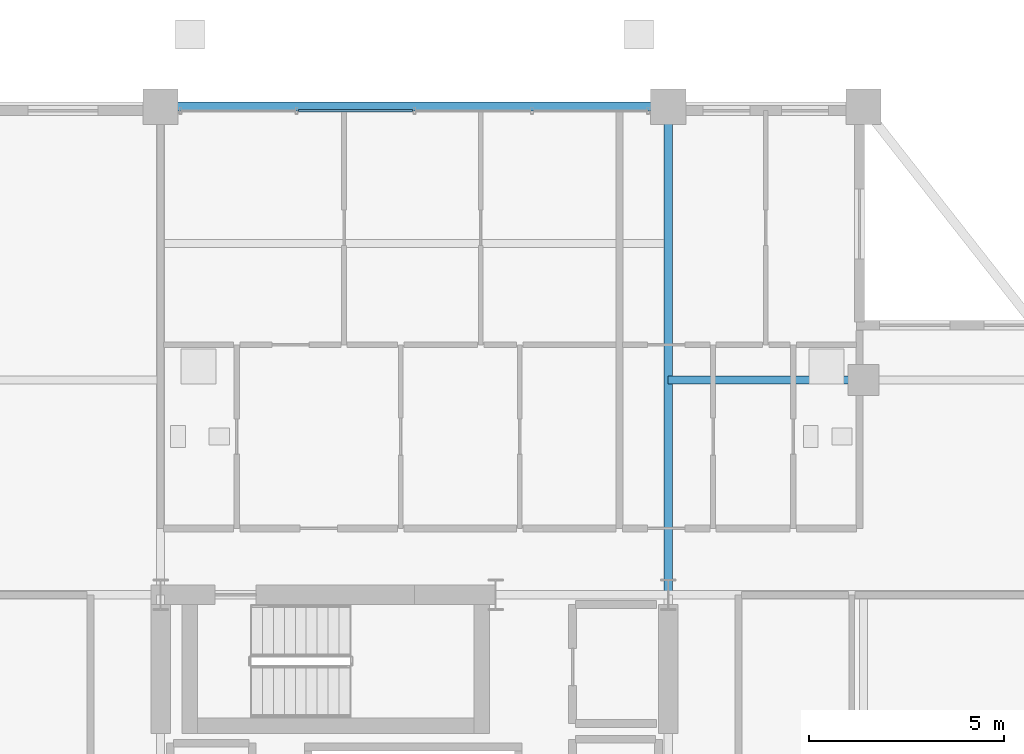
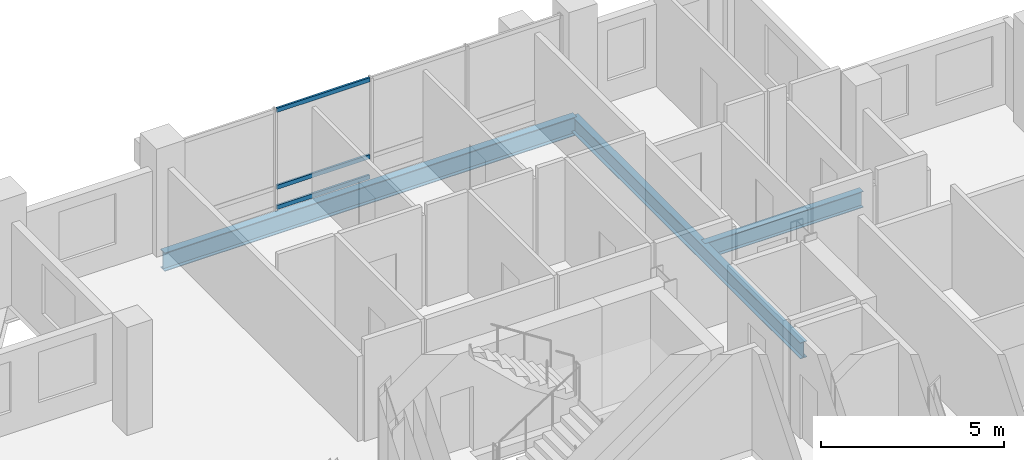
# One storey, part 13 of 22: 3 beams, 3 members, 1 element without a shape of its own.
"""IFC4 building model written with IfcOpenShell, lengths in metres."""

from ifc_helpers import new_model, si_unit, direction, frame, origin, origin_2d, place, context, subcontext, project, spatial, hollow_rectangle, i_section, extrude, material, layer, layer_set, material_profile, profile_set, type_object, element, aggregate, save


model = new_model("IFC4")

# Units and contexts
model_context = context("Model", 3, precision=1e-05, world=origin(), true_north=direction((0.0, 1.0)))
body_context = subcontext(model_context, "Body", "Model", "MODEL_VIEW")
ifc_project = project(units=[si_unit("LENGTHUNIT", "METRE"), si_unit("AREAUNIT", "SQUARE_METRE"), si_unit("VOLUMEUNIT", "CUBIC_METRE"), si_unit("PLANEANGLEUNIT", "RADIAN"), si_unit("MASSUNIT", "GRAM", prefix="KILO")], contexts=[model_context])

# Site, building, storey
site_placement = place(None, origin())
site = spatial("IfcSite", under=ifc_project, at=site_placement, CompositionType="ELEMENT")
building_placement = place(site_placement, origin())
building = spatial("IfcBuilding", under=site, at=building_placement, Name="Barlavira Tower and Art Museum", CompositionType="ELEMENT")
storey_placement = place(building_placement, frame((0.0, 0.0, 243.89990234375)))
storey = spatial("IfcBuildingStorey", under=building, at=storey_placement, Name="L63", CompositionType="ELEMENT", Elevation=243.89990234375)

# Curtain wall, members
ifc_material_1 = material(Name="Low-iron coastal laminated glass", Category="glass")
ifc_layer = layer(ifc_material_1, 0.2099609375, Name="Low-iron coastal laminated glass")
ifc_layer_set = layer_set([ifc_layer], Name="Low-iron coastal laminated glass")
curtain_wall_type = type_object("IfcCurtainWallType", Name="Pale-Metal Unitised Curtain Wall Zone 4", PredefinedType="NOTDEFINED", material=ifc_layer_set)
curtain_wall_placement = place(storey_placement, origin())
curtain_wall = element("IfcCurtainWall", 1, at=curtain_wall_placement, inside=storey, type_object=curtain_wall_type, Name="L63 Curtain Wall CW4-L63-N-B2", PredefinedType="NOTDEFINED")
ifc_material_2 = material(Name="Pale anodised aluminium", Category="aluminium")
ifc_material_profile_1 = material_profile(ifc_material_2, hollow_rectangle(XDim=0.06494140625, YDim=0.139892578125, WallThickness=0.00390625, at=origin_2d()), Name="ALU-TRAN 65x140x4")
ifc_profile_set_1 = profile_set([ifc_material_profile_1], Name="Pale anodised aluminium")
member_type = type_object("IfcMemberType", Name="Curtain Wall Pale-Metal Transom 65x140", PredefinedType="USERDEFINED", material=ifc_profile_set_1)
member_1_placement = place(storey_placement, frame((-0.044921875, 19.89990234375, 0.070068359375), z_axis=(-1.0, 0.0, 0.0), x_axis=(0.0, -1.0, 0.0)))
member_1 = element("IfcMember", 2, at=member_1_placement, type_object=member_type, Name="CW4-L63-N-B2 Transom 2.1", ObjectType="TRANSOM", PredefinedType="USERDEFINED", context=body_context, shape_type="SweptSolid", body=[
    extrude(hollow_rectangle(XDim=0.06494140625, YDim=0.139892578125, WallThickness=0.00390625, at=origin_2d()), origin(), (0.0, 0.0, 1.0), 2.925048828125),
])
member_2_placement = place(storey_placement, frame((-0.044921875, 19.89990234375, 0.744140625), z_axis=(-1.0, 0.0, 0.0), x_axis=(0.0, -1.0, 0.0)))
member_2 = element("IfcMember", 3, at=member_2_placement, type_object=member_type, Name="CW4-L63-N-B2 Transom 2.2", ObjectType="TRANSOM", PredefinedType="USERDEFINED", context=body_context, shape_type="SweptSolid", body=[
    extrude(hollow_rectangle(XDim=0.06494140625, YDim=0.139892578125, WallThickness=0.00390625, at=origin_2d()), origin(), (0.0, 0.0, 1.0), 2.925048828125),
])
member_3_placement = place(storey_placement, frame((-0.044921875, 19.89990234375, 3.31005859375), z_axis=(-1.0, 0.0, 0.0), x_axis=(0.0, -1.0, 0.0)))
member_3 = element("IfcMember", 4, at=member_3_placement, type_object=member_type, Name="CW4-L63-N-B2 Transom 2.3", ObjectType="TRANSOM", PredefinedType="USERDEFINED", context=body_context, shape_type="SweptSolid", body=[
    extrude(hollow_rectangle(XDim=0.06494140625, YDim=0.139892578125, WallThickness=0.00390625, at=origin_2d()), origin(), (0.0, 0.0, 1.0), 2.925048828125),
])
aggregate(curtain_wall, [member_1, member_2, member_3])

# Beams
ifc_material_3 = material(Name="Steel S355", Category="steel")
ifc_material_profile_2 = material_profile(ifc_material_3, i_section(OverallWidth=0.22998046875, OverallDepth=0.616943359375, WebThickness=0.01318359375, FlangeThickness=0.022216796875, at=origin_2d()), Name="W610x140.0")
ifc_profile_set_2 = profile_set([ifc_material_profile_2], Name="Steel S355")
beam_type_1 = type_object("IfcBeamType", Name="Upper Shaft Spandrel Edge Beam W610x140 Steel S355", PredefinedType="SPANDREL", material=ifc_profile_set_2)
beam_1_placement = place(storey_placement, frame((-6.5, 20.0, -0.5283203125), z_axis=(1.0, 0.0, 0.0), x_axis=(0.0, 1.0, 0.0)))
element("IfcBeam", 5, at=beam_1_placement, inside=storey, type_object=beam_type_1, Name="L63 Spandrel 10", PredefinedType="SPANDREL", context=body_context, shape_type="SweptSolid", body=[
    extrude(i_section(OverallWidth=0.22998046875, OverallDepth=0.616943359375, WebThickness=0.01318359375, FlangeThickness=0.022216796875, at=origin_2d()), origin(), (0.0, 0.0, 1.0), 13.0),
])
ifc_material_profile_3 = material_profile(ifc_material_3, i_section(OverallWidth=0.2109375, OverallDepth=0.5390625, WebThickness=0.01171875, FlangeThickness=0.018798828125, at=origin_2d()), Name="W530x109.0")
ifc_profile_set_3 = profile_set([ifc_material_profile_3], Name="Steel S355")
beam_type_2 = type_object("IfcBeamType", Name="Zone 3-4 Primary Floor Girder W530x109 Steel S355", PredefinedType="BEAM", material=ifc_profile_set_3)
beam_2_placement = place(storey_placement, frame((6.5, 7.5, -0.489501953125), z_axis=(0.0, 1.0, 0.0), x_axis=(-1.0, 0.0, 0.0)))
element("IfcBeam", 6, at=beam_2_placement, inside=storey, type_object=beam_type_2, Name="L63 Girder R-N2", PredefinedType="BEAM", context=body_context, shape_type="SweptSolid", body=[
    extrude(i_section(OverallWidth=0.2109375, OverallDepth=0.5390625, WebThickness=0.01171875, FlangeThickness=0.018798828125, at=origin_2d()), origin(), (0.0, 0.0, 1.0), 12.5),
])
beam_3_placement = place(storey_placement, frame((6.5, 13.0, -0.489501953125), z_axis=(1.0, 0.0, 0.0), x_axis=(0.0, 1.0, 0.0)))
element("IfcBeam", 7, at=beam_3_placement, inside=storey, type_object=beam_type_2, Name="L63 Girder I-N3", PredefinedType="BEAM", context=body_context, shape_type="SweptSolid", body=[
    extrude(i_section(OverallWidth=0.2109375, OverallDepth=0.5390625, WebThickness=0.01171875, FlangeThickness=0.018798828125, at=origin_2d()), origin(), (0.0, 0.0, 1.0), 5.0),
])

save(model, "model.ifc")
